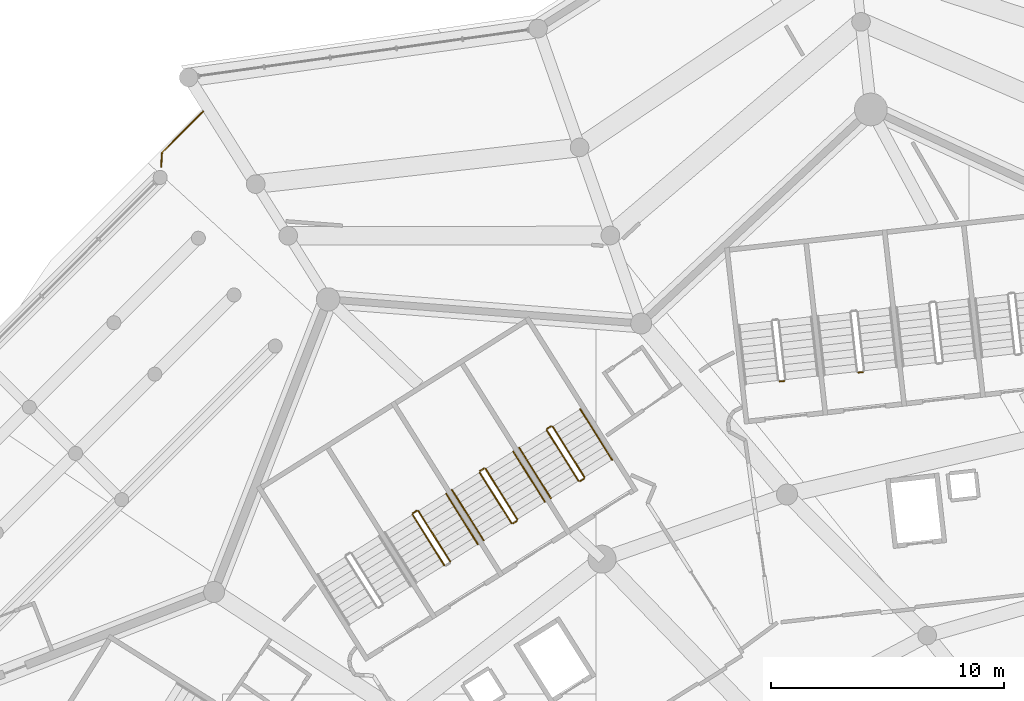
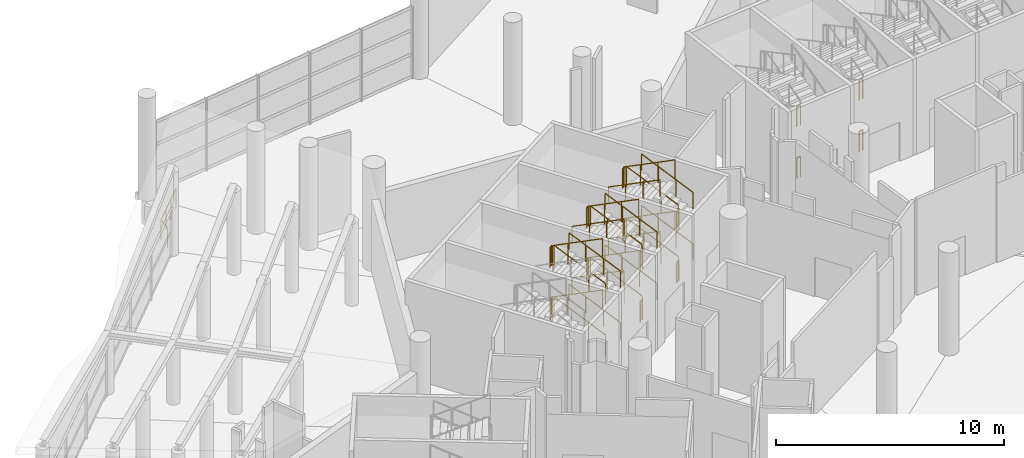
# One storey, part 256 of 271: 37 railings.
"""IFC4 building model written with IfcOpenShell, lengths in metres."""

from ifc_helpers import new_model, si_unit, direction, frame, origin, origin_2d, place, context, subcontext, project, spatial, circle, extrude, material, type_object, element, save


model = new_model("IFC4")

# Units and contexts
model_context = context("Model", 3, precision=1e-05, world=origin(), true_north=direction((0.0, 1.0)))
body_context = subcontext(model_context, "Body", "Model", "MODEL_VIEW")
ifc_project = project(units=[si_unit("LENGTHUNIT", "METRE"), si_unit("AREAUNIT", "SQUARE_METRE"), si_unit("VOLUMEUNIT", "CUBIC_METRE"), si_unit("PLANEANGLEUNIT", "RADIAN"), si_unit("MASSUNIT", "GRAM", prefix="KILO")], contexts=[model_context])

# Site, building, storey
site_placement = place(None, origin())
site = spatial("IfcSite", under=ifc_project, at=site_placement, CompositionType="ELEMENT")
building_placement = place(site_placement, origin())
building = spatial("IfcBuilding", under=site, at=building_placement, Name="Meseta Stadium", CompositionType="ELEMENT")
storey_placement = place(building_placement, frame((0.0, 0.0, 6.5)))
storey = spatial("IfcBuildingStorey", under=building, at=storey_placement, Name="L01", CompositionType="ELEMENT", Elevation=6.5)

# Railings
ifc_material_1 = material(Name="Steel S355", Category="steel")
railing_type_1 = type_object("IfcRailingType", Name="Plate edge guard 1100", PredefinedType="GUARDRAIL", material=ifc_material_1)
railing_1_placement = place(storey_placement, frame((-82.634765625, 102.585693359375, 0.0)))
element("IfcRailing", 1, at=railing_1_placement, inside=storey, type_object=railing_type_1, Name="Gate hall edge guard 6", PredefinedType="GUARDRAIL", context=body_context, shape_type="SweptSolid", body=[
    extrude(circle(Radius=0.02490234375, at=origin_2d()), frame((0.0, 0.0, 1.0751953125), z_axis=(0.059091509668, 0.998252569987, 0.0), x_axis=(-0.998252569987, 0.059091509668, 0.0)), (0.0, 0.0, 1.0), 0.61962890625),
    extrude(circle(Radius=0.02490234375, at=origin_2d()), frame((0.03662109375, 0.61865234375, 1.0751953125), z_axis=(0.707057848155, 0.707155710833, 0.0), x_axis=(-0.707155710833, 0.707057848155, 0.0)), (0.0, 0.0, 1.0), 2.49462890625),
    extrude(circle(Radius=0.02001953125, at=origin_2d()), origin(), (0.0, 0.0, 1.0), 1.050048828125),
    extrude(circle(Radius=0.02001953125, at=origin_2d()), frame((0.03662109375, 0.61865234375, 0.0)), (0.0, 0.0, 1.0), 1.050048828125),
    extrude(circle(Radius=0.02001953125, at=origin_2d()), frame((0.62451171875, 1.206787109375, 0.0)), (0.0, 0.0, 1.0), 1.050048828125),
    extrude(circle(Radius=0.02001953125, at=origin_2d()), frame((1.212646484375, 1.794677734375, 0.0)), (0.0, 0.0, 1.0), 1.050048828125),
    extrude(circle(Radius=0.02001953125, at=origin_2d()), frame((1.800537109375, 2.3828125, 0.0)), (0.0, 0.0, 1.0), 1.050048828125),
])
ifc_material_2 = material(Name="Steel S355", Category="steel")
railing_type_2 = type_object("IfcRailingType", Name="Stair guard 1100", PredefinedType="GUARDRAIL", material=ifc_material_2)
for number, where, name in (
    (2, (-52.54443359375, 93.792724609375, 2.75), "ST47 L01 guard 4"),
    (3, (-52.54443359375, 93.792724609375, 0.0), "ST47 L01 guard 8"),
):
    element("IfcRailing", number, at=place(storey_placement, frame(where)), inside=storey, type_object=railing_type_2, Name=name, PredefinedType="GUARDRAIL", context=body_context, shape_type="SweptSolid", body=[
        extrude(circle(Radius=0.02392578125, at=origin_2d()), frame((0.0, 0.0, 1.076171875), z_axis=(-0.993673547442, -0.112307083986, 0.0), x_axis=(0.112307083986, -0.993673547442, 0.0)), (0.0, 0.0, 1.0), 0.199951171875),
        extrude(circle(Radius=0.02099609375, at=origin_2d()), origin(), (0.0, 0.0, 1.0), 1.052001953125),
        extrude(circle(Radius=0.02099609375, at=origin_2d()), frame((-0.19873046875, -0.0224609375, 0.0)), (0.0, 0.0, 1.0), 1.052001953125),
    ])
for number, where, name in (
    (4, (-55.923095703125, 93.411865234375, 2.75), "ST48 L01 guard 4"),
    (5, (-55.923095703125, 93.411865234375, 0.0), "ST48 L01 guard 8"),
):
    element("IfcRailing", number, at=place(storey_placement, frame(where)), inside=storey, type_object=railing_type_2, Name=name, PredefinedType="GUARDRAIL", context=body_context, shape_type="SweptSolid", body=[
        extrude(circle(Radius=0.02392578125, at=origin_2d()), frame((0.0, 0.0, 1.076171875), z_axis=(-0.993809063983, -0.111101504696, 0.0), x_axis=(0.111101504696, -0.993809063983, 0.0)), (0.0, 0.0, 1.0), 0.199951171875),
        extrude(circle(Radius=0.02099609375, at=origin_2d()), origin(), (0.0, 0.0, 1.0), 1.052001953125),
        extrude(circle(Radius=0.02099609375, at=origin_2d()), frame((-0.19873046875, -0.022216796875, 0.0)), (0.0, 0.0, 1.0), 1.052001953125),
    ])
railing_2_placement = place(storey_placement, frame((-64.4853515625, 89.286865234375, 0.15283203125)))
element("IfcRailing", 6, at=railing_2_placement, inside=storey, type_object=railing_type_2, Name="ST49 L01 guard 1", PredefinedType="GUARDRAIL", context=body_context, shape_type="SweptSolid", body=[
    extrude(circle(Radius=0.02392578125, at=origin_2d()), frame((0.0, 0.0, 1.076171875), z_axis=(-0.480058669713, 0.764152192252, 0.430830710036), x_axis=(-0.846769111272, -0.53196059271, 0.0)), (0.0, 0.0, 1.0), 2.836669921875),
    extrude(circle(Radius=0.02099609375, at=origin_2d()), origin(), (0.0, 0.0, 1.0), 1.052001953125),
    extrude(circle(Radius=0.02099609375, at=origin_2d()), frame((-0.453857421875, 0.72265625, 0.407470703125)), (0.0, 0.0, 1.0), 1.052001953125),
    extrude(circle(Radius=0.02099609375, at=origin_2d()), frame((-0.907958984375, 1.445068359375, 0.814697265625)), (0.0, 0.0, 1.0), 1.052001953125),
    extrude(circle(Radius=0.02099609375, at=origin_2d()), frame((-1.36181640625, 2.167724609375, 1.22216796875)), (0.0, 0.0, 1.0), 1.052001953125),
])
railing_3_placement = place(storey_placement, frame((-65.916259765625, 91.47021484375, 1.375)))
element("IfcRailing", 7, at=railing_3_placement, inside=storey, type_object=railing_type_2, Name="ST49 L01 guard 2", PredefinedType="GUARDRAIL", context=body_context, shape_type="SweptSolid", body=[
    extrude(circle(Radius=0.02392578125, at=origin_2d()), frame((0.0, 0.0, 1.076171875), z_axis=(-0.846966780732, -0.531645814745, 0.0), x_axis=(0.531645814745, -0.846966780732, 0.0)), (0.0, 0.0, 1.0), 0.19970703125),
    extrude(circle(Radius=0.02099609375, at=origin_2d()), origin(), (0.0, 0.0, 1.0), 1.052001953125),
    extrude(circle(Radius=0.02099609375, at=origin_2d()), frame((-0.169189453125, -0.106201171875, 0.0)), (0.0, 0.0, 1.0), 1.052001953125),
])
railing_4_placement = place(storey_placement, frame((-66.101318359375, 91.294921875, 1.52783203125)))
element("IfcRailing", 8, at=railing_4_placement, inside=storey, type_object=railing_type_2, Name="ST49 L01 guard 3", PredefinedType="GUARDRAIL", context=body_context, shape_type="SweptSolid", body=[
    extrude(circle(Radius=0.02392578125, at=origin_2d()), frame((0.0, 0.0, 1.076171875), z_axis=(0.480156468945, -0.764084805753, 0.430841241), x_axis=(0.84669915639, 0.532071929883, 0.0)), (0.0, 0.0, 1.0), 2.836669921875),
    extrude(circle(Radius=0.02099609375, at=origin_2d()), origin(), (0.0, 0.0, 1.0), 1.052001953125),
    extrude(circle(Radius=0.02099609375, at=origin_2d()), frame((0.4541015625, -0.722412109375, 0.407470703125)), (0.0, 0.0, 1.0), 1.052001953125),
    extrude(circle(Radius=0.02099609375, at=origin_2d()), frame((0.907958984375, -1.445068359375, 0.814697265625)), (0.0, 0.0, 1.0), 1.052001953125),
    extrude(circle(Radius=0.02099609375, at=origin_2d()), frame((1.362060546875, -2.16748046875, 1.22216796875)), (0.0, 0.0, 1.0), 1.052001953125),
])
railing_5_placement = place(storey_placement, frame((-64.5009765625, 89.218017578125, 2.75)))
element("IfcRailing", 9, at=railing_5_placement, inside=storey, type_object=railing_type_2, Name="ST49 L01 guard 4", PredefinedType="GUARDRAIL", context=body_context, shape_type="SweptSolid", body=[
    extrude(circle(Radius=0.02392578125, at=origin_2d()), frame((0.0, 0.0, 1.076171875), z_axis=(-0.846762178531, -0.531971628011, 0.0), x_axis=(0.531971628011, -0.846762178531, 0.0)), (0.0, 0.0, 1.0), 0.2001953125),
    extrude(circle(Radius=0.02099609375, at=origin_2d()), origin(), (0.0, 0.0, 1.0), 1.052001953125),
    extrude(circle(Radius=0.02099609375, at=origin_2d()), frame((-0.16943359375, -0.1064453125, 0.0)), (0.0, 0.0, 1.0), 1.052001953125),
])
railing_6_placement = place(storey_placement, frame((-64.4853515625, 89.286865234375, 2.90283203125)))
element("IfcRailing", 10, at=railing_6_placement, inside=storey, type_object=railing_type_2, Name="ST49 L01 guard 5", PredefinedType="GUARDRAIL", context=body_context, shape_type="SweptSolid", body=[
    extrude(circle(Radius=0.02392578125, at=origin_2d()), frame((0.0, 0.0, 1.076171875), z_axis=(-0.480058669713, 0.764152192252, 0.430830710036), x_axis=(-0.846769111272, -0.53196059271, 0.0)), (0.0, 0.0, 1.0), 2.836669921875),
    extrude(circle(Radius=0.02099609375, at=origin_2d()), origin(), (0.0, 0.0, 1.0), 1.052001953125),
    extrude(circle(Radius=0.02099609375, at=origin_2d()), frame((-0.453857421875, 0.72265625, 0.407470703125)), (0.0, 0.0, 1.0), 1.052001953125),
    extrude(circle(Radius=0.02099609375, at=origin_2d()), frame((-0.907958984375, 1.445068359375, 0.814697265625)), (0.0, 0.0, 1.0), 1.052001953125),
    extrude(circle(Radius=0.02099609375, at=origin_2d()), frame((-1.36181640625, 2.167724609375, 1.22216796875)), (0.0, 0.0, 1.0), 1.052001953125),
])
railing_7_placement = place(storey_placement, frame((-65.916259765625, 91.47021484375, 4.125)))
element("IfcRailing", 11, at=railing_7_placement, inside=storey, type_object=railing_type_2, Name="ST49 L01 guard 6", PredefinedType="GUARDRAIL", context=body_context, shape_type="SweptSolid", body=[
    extrude(circle(Radius=0.02392578125, at=origin_2d()), frame((0.0, 0.0, 1.076171875), z_axis=(-0.846966780732, -0.531645814745, 0.0), x_axis=(0.531645814745, -0.846966780732, 0.0)), (0.0, 0.0, 1.0), 0.19970703125),
    extrude(circle(Radius=0.02099609375, at=origin_2d()), origin(), (0.0, 0.0, 1.0), 1.052001953125),
    extrude(circle(Radius=0.02099609375, at=origin_2d()), frame((-0.169189453125, -0.106201171875, 0.0)), (0.0, 0.0, 1.0), 1.052001953125),
])
railing_8_placement = place(storey_placement, frame((-66.101318359375, 91.294921875, 4.27783203125)))
element("IfcRailing", 12, at=railing_8_placement, inside=storey, type_object=railing_type_2, Name="ST49 L01 guard 7", PredefinedType="GUARDRAIL", context=body_context, shape_type="SweptSolid", body=[
    extrude(circle(Radius=0.02392578125, at=origin_2d()), frame((0.0, 0.0, 1.076171875), z_axis=(0.480156468945, -0.764084805753, 0.430841241), x_axis=(0.84669915639, 0.532071929883, 0.0)), (0.0, 0.0, 1.0), 2.836669921875),
    extrude(circle(Radius=0.02099609375, at=origin_2d()), origin(), (0.0, 0.0, 1.0), 1.052001953125),
    extrude(circle(Radius=0.02099609375, at=origin_2d()), frame((0.4541015625, -0.722412109375, 0.407470703125)), (0.0, 0.0, 1.0), 1.052001953125),
    extrude(circle(Radius=0.02099609375, at=origin_2d()), frame((0.907958984375, -1.445068359375, 0.814697265625)), (0.0, 0.0, 1.0), 1.052001953125),
    extrude(circle(Radius=0.02099609375, at=origin_2d()), frame((1.362060546875, -2.16748046875, 1.22216796875)), (0.0, 0.0, 1.0), 1.052001953125),
])
railing_9_placement = place(storey_placement, frame((-64.5009765625, 89.218017578125, 0.0)))
element("IfcRailing", 13, at=railing_9_placement, inside=storey, type_object=railing_type_2, Name="ST49 L01 guard 8", PredefinedType="GUARDRAIL", context=body_context, shape_type="SweptSolid", body=[
    extrude(circle(Radius=0.02392578125, at=origin_2d()), frame((0.0, 0.0, 1.076171875), z_axis=(-0.846762178531, -0.531971628011, 0.0), x_axis=(0.531971628011, -0.846762178531, 0.0)), (0.0, 0.0, 1.0), 0.2001953125),
    extrude(circle(Radius=0.02099609375, at=origin_2d()), origin(), (0.0, 0.0, 1.0), 1.052001953125),
    extrude(circle(Radius=0.02099609375, at=origin_2d()), frame((-0.16943359375, -0.1064453125, 0.0)), (0.0, 0.0, 1.0), 1.052001953125),
])
railing_10_placement = place(storey_placement, frame((-67.3642578125, 87.47802734375, 0.15283203125)))
element("IfcRailing", 14, at=railing_10_placement, inside=storey, type_object=railing_type_2, Name="ST50 L01 guard 1", PredefinedType="GUARDRAIL", context=body_context, shape_type="SweptSolid", body=[
    extrude(circle(Radius=0.02392578125, at=origin_2d()), frame((0.0, 0.0, 1.076171875), z_axis=(-0.480058669713, 0.764152192252, 0.430830710036), x_axis=(-0.846769111272, -0.53196059271, 0.0)), (0.0, 0.0, 1.0), 2.836669921875),
    extrude(circle(Radius=0.02099609375, at=origin_2d()), origin(), (0.0, 0.0, 1.0), 1.052001953125),
    extrude(circle(Radius=0.02099609375, at=origin_2d()), frame((-0.453857421875, 0.72265625, 0.407470703125)), (0.0, 0.0, 1.0), 1.052001953125),
    extrude(circle(Radius=0.02099609375, at=origin_2d()), frame((-0.907958984375, 1.445068359375, 0.814697265625)), (0.0, 0.0, 1.0), 1.052001953125),
    extrude(circle(Radius=0.02099609375, at=origin_2d()), frame((-1.36181640625, 2.167724609375, 1.22216796875)), (0.0, 0.0, 1.0), 1.052001953125),
])
railing_11_placement = place(storey_placement, frame((-68.795166015625, 89.661376953125, 1.375)))
element("IfcRailing", 15, at=railing_11_placement, inside=storey, type_object=railing_type_2, Name="ST50 L01 guard 2", PredefinedType="GUARDRAIL", context=body_context, shape_type="SweptSolid", body=[
    extrude(circle(Radius=0.02392578125, at=origin_2d()), frame((0.0, 0.0, 1.076171875), z_axis=(-0.846416356806, -0.532521690573, 0.0), x_axis=(0.532521690573, -0.846416356806, 0.0)), (0.0, 0.0, 1.0), 0.199951171875),
    extrude(circle(Radius=0.02099609375, at=origin_2d()), origin(), (0.0, 0.0, 1.0), 1.052001953125),
    extrude(circle(Radius=0.02099609375, at=origin_2d()), frame((-0.169189453125, -0.1064453125, 0.0)), (0.0, 0.0, 1.0), 1.052001953125),
])
railing_12_placement = place(storey_placement, frame((-68.980224609375, 89.486083984375, 1.52783203125)))
element("IfcRailing", 16, at=railing_12_placement, inside=storey, type_object=railing_type_2, Name="ST50 L01 guard 3", PredefinedType="GUARDRAIL", context=body_context, shape_type="SweptSolid", body=[
    extrude(circle(Radius=0.02392578125, at=origin_2d()), frame((0.0, 0.0, 1.076171875), z_axis=(0.480124894743, -0.764120620259, 0.430812909676), x_axis=(0.846726152555, 0.532028967801, 0.0)), (0.0, 0.0, 1.0), 2.8369140625),
    extrude(circle(Radius=0.02099609375, at=origin_2d()), origin(), (0.0, 0.0, 1.0), 1.052001953125),
    extrude(circle(Radius=0.02099609375, at=origin_2d()), frame((0.4541015625, -0.72265625, 0.407470703125)), (0.0, 0.0, 1.0), 1.052001953125),
    extrude(circle(Radius=0.02099609375, at=origin_2d()), frame((0.907958984375, -1.445068359375, 0.814697265625)), (0.0, 0.0, 1.0), 1.052001953125),
    extrude(circle(Radius=0.02099609375, at=origin_2d()), frame((1.362060546875, -2.167724609375, 1.22216796875)), (0.0, 0.0, 1.0), 1.052001953125),
])
railing_13_placement = place(storey_placement, frame((-67.3798828125, 87.4091796875, 2.75)))
element("IfcRailing", 17, at=railing_13_placement, inside=storey, type_object=railing_type_2, Name="ST50 L01 guard 4", PredefinedType="GUARDRAIL", context=body_context, shape_type="SweptSolid", body=[
    extrude(circle(Radius=0.02392578125, at=origin_2d()), frame((0.0, 0.0, 1.076171875), z_axis=(-0.846762178531, -0.531971628011, 0.0), x_axis=(0.531971628011, -0.846762178531, 0.0)), (0.0, 0.0, 1.0), 0.2001953125),
    extrude(circle(Radius=0.02099609375, at=origin_2d()), origin(), (0.0, 0.0, 1.0), 1.052001953125),
    extrude(circle(Radius=0.02099609375, at=origin_2d()), frame((-0.16943359375, -0.1064453125, 0.0)), (0.0, 0.0, 1.0), 1.052001953125),
])
railing_14_placement = place(storey_placement, frame((-67.3642578125, 87.47802734375, 2.90283203125)))
element("IfcRailing", 18, at=railing_14_placement, inside=storey, type_object=railing_type_2, Name="ST50 L01 guard 5", PredefinedType="GUARDRAIL", context=body_context, shape_type="SweptSolid", body=[
    extrude(circle(Radius=0.02392578125, at=origin_2d()), frame((0.0, 0.0, 1.076171875), z_axis=(-0.480058669713, 0.764152192252, 0.430830710036), x_axis=(-0.846769111272, -0.53196059271, 0.0)), (0.0, 0.0, 1.0), 2.836669921875),
    extrude(circle(Radius=0.02099609375, at=origin_2d()), origin(), (0.0, 0.0, 1.0), 1.052001953125),
    extrude(circle(Radius=0.02099609375, at=origin_2d()), frame((-0.453857421875, 0.72265625, 0.407470703125)), (0.0, 0.0, 1.0), 1.052001953125),
    extrude(circle(Radius=0.02099609375, at=origin_2d()), frame((-0.907958984375, 1.445068359375, 0.814697265625)), (0.0, 0.0, 1.0), 1.052001953125),
    extrude(circle(Radius=0.02099609375, at=origin_2d()), frame((-1.36181640625, 2.167724609375, 1.22216796875)), (0.0, 0.0, 1.0), 1.052001953125),
])
railing_15_placement = place(storey_placement, frame((-68.795166015625, 89.661376953125, 4.125)))
element("IfcRailing", 19, at=railing_15_placement, inside=storey, type_object=railing_type_2, Name="ST50 L01 guard 6", PredefinedType="GUARDRAIL", context=body_context, shape_type="SweptSolid", body=[
    extrude(circle(Radius=0.02392578125, at=origin_2d()), frame((0.0, 0.0, 1.076171875), z_axis=(-0.846416356806, -0.532521690573, 0.0), x_axis=(0.532521690573, -0.846416356806, 0.0)), (0.0, 0.0, 1.0), 0.199951171875),
    extrude(circle(Radius=0.02099609375, at=origin_2d()), origin(), (0.0, 0.0, 1.0), 1.052001953125),
    extrude(circle(Radius=0.02099609375, at=origin_2d()), frame((-0.169189453125, -0.1064453125, 0.0)), (0.0, 0.0, 1.0), 1.052001953125),
])
railing_16_placement = place(storey_placement, frame((-68.980224609375, 89.486083984375, 4.27783203125)))
element("IfcRailing", 20, at=railing_16_placement, inside=storey, type_object=railing_type_2, Name="ST50 L01 guard 7", PredefinedType="GUARDRAIL", context=body_context, shape_type="SweptSolid", body=[
    extrude(circle(Radius=0.02392578125, at=origin_2d()), frame((0.0, 0.0, 1.076171875), z_axis=(0.480124894743, -0.764120620259, 0.430812909676), x_axis=(0.846726152555, 0.532028967801, 0.0)), (0.0, 0.0, 1.0), 2.8369140625),
    extrude(circle(Radius=0.02099609375, at=origin_2d()), origin(), (0.0, 0.0, 1.0), 1.052001953125),
    extrude(circle(Radius=0.02099609375, at=origin_2d()), frame((0.4541015625, -0.72265625, 0.407470703125)), (0.0, 0.0, 1.0), 1.052001953125),
    extrude(circle(Radius=0.02099609375, at=origin_2d()), frame((0.907958984375, -1.445068359375, 0.814697265625)), (0.0, 0.0, 1.0), 1.052001953125),
    extrude(circle(Radius=0.02099609375, at=origin_2d()), frame((1.362060546875, -2.167724609375, 1.22216796875)), (0.0, 0.0, 1.0), 1.052001953125),
])
railing_17_placement = place(storey_placement, frame((-67.3798828125, 87.4091796875, 0.0)))
element("IfcRailing", 21, at=railing_17_placement, inside=storey, type_object=railing_type_2, Name="ST50 L01 guard 8", PredefinedType="GUARDRAIL", context=body_context, shape_type="SweptSolid", body=[
    extrude(circle(Radius=0.02392578125, at=origin_2d()), frame((0.0, 0.0, 1.076171875), z_axis=(-0.846762178531, -0.531971628011, 0.0), x_axis=(0.531971628011, -0.846762178531, 0.0)), (0.0, 0.0, 1.0), 0.2001953125),
    extrude(circle(Radius=0.02099609375, at=origin_2d()), origin(), (0.0, 0.0, 1.0), 1.052001953125),
    extrude(circle(Radius=0.02099609375, at=origin_2d()), frame((-0.16943359375, -0.1064453125, 0.0)), (0.0, 0.0, 1.0), 1.052001953125),
])
railing_18_placement = place(storey_placement, frame((-70.242919921875, 85.669189453125, 0.15283203125)))
element("IfcRailing", 22, at=railing_18_placement, inside=storey, type_object=railing_type_2, Name="ST51 L01 guard 1", PredefinedType="GUARDRAIL", context=body_context, shape_type="SweptSolid", body=[
    extrude(circle(Radius=0.02392578125, at=origin_2d()), frame((0.0, 0.0, 1.076171875), z_axis=(-0.480156468945, 0.764084805753, 0.430841241), x_axis=(-0.84669915639, -0.532071929883, 0.0)), (0.0, 0.0, 1.0), 2.836669921875),
    extrude(circle(Radius=0.02099609375, at=origin_2d()), origin(), (0.0, 0.0, 1.0), 1.052001953125),
    extrude(circle(Radius=0.02099609375, at=origin_2d()), frame((-0.4541015625, 0.722412109375, 0.407470703125)), (0.0, 0.0, 1.0), 1.052001953125),
    extrude(circle(Radius=0.02099609375, at=origin_2d()), frame((-0.907958984375, 1.445068359375, 0.814697265625)), (0.0, 0.0, 1.0), 1.052001953125),
    extrude(circle(Radius=0.02099609375, at=origin_2d()), frame((-1.362060546875, 2.16748046875, 1.22216796875)), (0.0, 0.0, 1.0), 1.052001953125),
])
railing_19_placement = place(storey_placement, frame((-71.673828125, 87.8525390625, 1.375)))
element("IfcRailing", 23, at=railing_19_placement, inside=storey, type_object=railing_type_2, Name="ST51 L01 guard 2", PredefinedType="GUARDRAIL", context=body_context, shape_type="SweptSolid", body=[
    extrude(circle(Radius=0.02392578125, at=origin_2d()), frame((0.0, 0.0, 1.076171875), z_axis=(-0.846762178531, -0.531971628011, 0.0), x_axis=(0.531971628011, -0.846762178531, 0.0)), (0.0, 0.0, 1.0), 0.2001953125),
    extrude(circle(Radius=0.02099609375, at=origin_2d()), origin(), (0.0, 0.0, 1.0), 1.052001953125),
    extrude(circle(Radius=0.02099609375, at=origin_2d()), frame((-0.16943359375, -0.1064453125, 0.0)), (0.0, 0.0, 1.0), 1.052001953125),
])
railing_20_placement = place(storey_placement, frame((-71.859130859375, 87.67724609375, 1.52783203125)))
element("IfcRailing", 24, at=railing_20_placement, inside=storey, type_object=railing_type_2, Name="ST51 L01 guard 3", PredefinedType="GUARDRAIL", context=body_context, shape_type="SweptSolid", body=[
    extrude(circle(Radius=0.02392578125, at=origin_2d()), frame((0.0, 0.0, 1.076171875), z_axis=(0.480124894743, -0.764120620259, 0.430812909676), x_axis=(0.846726152555, 0.532028967801, 0.0)), (0.0, 0.0, 1.0), 2.8369140625),
    extrude(circle(Radius=0.02099609375, at=origin_2d()), origin(), (0.0, 0.0, 1.0), 1.052001953125),
    extrude(circle(Radius=0.02099609375, at=origin_2d()), frame((0.4541015625, -0.72265625, 0.407470703125)), (0.0, 0.0, 1.0), 1.052001953125),
    extrude(circle(Radius=0.02099609375, at=origin_2d()), frame((0.907958984375, -1.445068359375, 0.814697265625)), (0.0, 0.0, 1.0), 1.052001953125),
    extrude(circle(Radius=0.02099609375, at=origin_2d()), frame((1.362060546875, -2.167724609375, 1.22216796875)), (0.0, 0.0, 1.0), 1.052001953125),
])
railing_21_placement = place(storey_placement, frame((-70.242919921875, 85.669189453125, 2.90283203125)))
element("IfcRailing", 25, at=railing_21_placement, inside=storey, type_object=railing_type_2, Name="ST51 L01 guard 5", PredefinedType="GUARDRAIL", context=body_context, shape_type="SweptSolid", body=[
    extrude(circle(Radius=0.02392578125, at=origin_2d()), frame((0.0, 0.0, 1.076171875), z_axis=(-0.480156468945, 0.764084805753, 0.430841241), x_axis=(-0.84669915639, -0.532071929883, 0.0)), (0.0, 0.0, 1.0), 2.836669921875),
    extrude(circle(Radius=0.02099609375, at=origin_2d()), origin(), (0.0, 0.0, 1.0), 1.052001953125),
    extrude(circle(Radius=0.02099609375, at=origin_2d()), frame((-0.4541015625, 0.722412109375, 0.407470703125)), (0.0, 0.0, 1.0), 1.052001953125),
    extrude(circle(Radius=0.02099609375, at=origin_2d()), frame((-0.907958984375, 1.445068359375, 0.814697265625)), (0.0, 0.0, 1.0), 1.052001953125),
    extrude(circle(Radius=0.02099609375, at=origin_2d()), frame((-1.362060546875, 2.16748046875, 1.22216796875)), (0.0, 0.0, 1.0), 1.052001953125),
])
railing_22_placement = place(storey_placement, frame((-71.673828125, 87.8525390625, 4.125)))
element("IfcRailing", 26, at=railing_22_placement, inside=storey, type_object=railing_type_2, Name="ST51 L01 guard 6", PredefinedType="GUARDRAIL", context=body_context, shape_type="SweptSolid", body=[
    extrude(circle(Radius=0.02392578125, at=origin_2d()), frame((0.0, 0.0, 1.076171875), z_axis=(-0.846762178531, -0.531971628011, 0.0), x_axis=(0.531971628011, -0.846762178531, 0.0)), (0.0, 0.0, 1.0), 0.2001953125),
    extrude(circle(Radius=0.02099609375, at=origin_2d()), origin(), (0.0, 0.0, 1.0), 1.052001953125),
    extrude(circle(Radius=0.02099609375, at=origin_2d()), frame((-0.16943359375, -0.1064453125, 0.0)), (0.0, 0.0, 1.0), 1.052001953125),
])
railing_23_placement = place(storey_placement, frame((-71.859130859375, 87.67724609375, 4.27783203125)))
element("IfcRailing", 27, at=railing_23_placement, inside=storey, type_object=railing_type_2, Name="ST51 L01 guard 7", PredefinedType="GUARDRAIL", context=body_context, shape_type="SweptSolid", body=[
    extrude(circle(Radius=0.02392578125, at=origin_2d()), frame((0.0, 0.0, 1.076171875), z_axis=(0.480124894743, -0.764120620259, 0.430812909676), x_axis=(0.846726152555, 0.532028967801, 0.0)), (0.0, 0.0, 1.0), 2.8369140625),
    extrude(circle(Radius=0.02099609375, at=origin_2d()), origin(), (0.0, 0.0, 1.0), 1.052001953125),
    extrude(circle(Radius=0.02099609375, at=origin_2d()), frame((0.4541015625, -0.72265625, 0.407470703125)), (0.0, 0.0, 1.0), 1.052001953125),
    extrude(circle(Radius=0.02099609375, at=origin_2d()), frame((0.907958984375, -1.445068359375, 0.814697265625)), (0.0, 0.0, 1.0), 1.052001953125),
    extrude(circle(Radius=0.02099609375, at=origin_2d()), frame((1.362060546875, -2.167724609375, 1.22216796875)), (0.0, 0.0, 1.0), 1.052001953125),
])
ifc_material_3 = material(Name="Steel S355", Category="steel")
railing_type_3 = type_object("IfcRailingType", Name="Stair handrail 900", PredefinedType="HANDRAIL", material=ifc_material_3)
railing_24_placement = place(storey_placement, frame((-63.2998046875, 90.03173828125, 0.15283203125)))
element("IfcRailing", 28, at=railing_24_placement, inside=storey, type_object=railing_type_3, Name="ST49 L01 handrail 1", PredefinedType="HANDRAIL", context=body_context, shape_type="SweptSolid", body=[
    extrude(circle(Radius=0.02392578125, at=origin_2d()), frame((0.0, 0.0, 0.8759765625), z_axis=(-0.480124894743, 0.764120620259, 0.430812909676), x_axis=(-0.846726152555, -0.532028967801, 0.0)), (0.0, 0.0, 1.0), 2.8369140625),
    extrude(circle(Radius=0.02099609375, at=origin_2d()), origin(), (0.0, 0.0, 1.0), 0.851806640625),
    extrude(circle(Radius=0.02099609375, at=origin_2d()), frame((-0.4541015625, 0.72265625, 0.407470703125)), (0.0, 0.0, 1.0), 0.851806640625),
    extrude(circle(Radius=0.02099609375, at=origin_2d()), frame((-0.907958984375, 1.445068359375, 0.814697265625)), (0.0, 0.0, 1.0), 0.851806640625),
    extrude(circle(Radius=0.02099609375, at=origin_2d()), frame((-1.362060546875, 2.167724609375, 1.22216796875)), (0.0, 0.0, 1.0), 0.851806640625),
])
railing_25_placement = place(storey_placement, frame((-67.28662109375, 90.550048828125, 1.52783203125)))
element("IfcRailing", 29, at=railing_25_placement, inside=storey, type_object=railing_type_3, Name="ST49 L01 handrail 2", PredefinedType="HANDRAIL", context=body_context, shape_type="SweptSolid", body=[
    extrude(circle(Radius=0.02392578125, at=origin_2d()), frame((0.0, 0.0, 0.8759765625), z_axis=(0.480090242169, -0.764116380419, 0.430859044873), x_axis=(0.846742120675, 0.53200355363, 0.0)), (0.0, 0.0, 1.0), 2.836669921875),
    extrude(circle(Radius=0.02099609375, at=origin_2d()), origin(), (0.0, 0.0, 1.0), 0.851806640625),
    extrude(circle(Radius=0.02099609375, at=origin_2d()), frame((0.453857421875, -0.722412109375, 0.407470703125)), (0.0, 0.0, 1.0), 0.851806640625),
    extrude(circle(Radius=0.02099609375, at=origin_2d()), frame((0.907958984375, -1.445068359375, 0.814697265625)), (0.0, 0.0, 1.0), 0.851806640625),
    extrude(circle(Radius=0.02099609375, at=origin_2d()), frame((1.36181640625, -2.16748046875, 1.22216796875)), (0.0, 0.0, 1.0), 0.851806640625),
])
railing_26_placement = place(storey_placement, frame((-63.2998046875, 90.03173828125, 2.90283203125)))
element("IfcRailing", 30, at=railing_26_placement, inside=storey, type_object=railing_type_3, Name="ST49 L01 handrail 3", PredefinedType="HANDRAIL", context=body_context, shape_type="SweptSolid", body=[
    extrude(circle(Radius=0.02392578125, at=origin_2d()), frame((0.0, 0.0, 0.8759765625), z_axis=(-0.480124894743, 0.764120620259, 0.430812909676), x_axis=(-0.846726152555, -0.532028967801, 0.0)), (0.0, 0.0, 1.0), 2.8369140625),
    extrude(circle(Radius=0.02099609375, at=origin_2d()), origin(), (0.0, 0.0, 1.0), 0.851806640625),
    extrude(circle(Radius=0.02099609375, at=origin_2d()), frame((-0.4541015625, 0.72265625, 0.407470703125)), (0.0, 0.0, 1.0), 0.851806640625),
    extrude(circle(Radius=0.02099609375, at=origin_2d()), frame((-0.907958984375, 1.445068359375, 0.814697265625)), (0.0, 0.0, 1.0), 0.851806640625),
    extrude(circle(Radius=0.02099609375, at=origin_2d()), frame((-1.362060546875, 2.167724609375, 1.22216796875)), (0.0, 0.0, 1.0), 0.851806640625),
])
railing_27_placement = place(storey_placement, frame((-67.28662109375, 90.550048828125, 4.27783203125)))
element("IfcRailing", 31, at=railing_27_placement, inside=storey, type_object=railing_type_3, Name="ST49 L01 handrail 4", PredefinedType="HANDRAIL", context=body_context, shape_type="SweptSolid", body=[
    extrude(circle(Radius=0.02392578125, at=origin_2d()), frame((0.0, 0.0, 0.8759765625), z_axis=(0.480090242169, -0.764116380419, 0.430859044873), x_axis=(0.846742120675, 0.53200355363, 0.0)), (0.0, 0.0, 1.0), 2.836669921875),
    extrude(circle(Radius=0.02099609375, at=origin_2d()), origin(), (0.0, 0.0, 1.0), 0.851806640625),
    extrude(circle(Radius=0.02099609375, at=origin_2d()), frame((0.453857421875, -0.722412109375, 0.407470703125)), (0.0, 0.0, 1.0), 0.851806640625),
    extrude(circle(Radius=0.02099609375, at=origin_2d()), frame((0.907958984375, -1.445068359375, 0.814697265625)), (0.0, 0.0, 1.0), 0.851806640625),
    extrude(circle(Radius=0.02099609375, at=origin_2d()), frame((1.36181640625, -2.16748046875, 1.22216796875)), (0.0, 0.0, 1.0), 0.851806640625),
])
railing_28_placement = place(storey_placement, frame((-66.1787109375, 88.222900390625, 0.15283203125)))
element("IfcRailing", 32, at=railing_28_placement, inside=storey, type_object=railing_type_3, Name="ST50 L01 handrail 1", PredefinedType="HANDRAIL", context=body_context, shape_type="SweptSolid", body=[
    extrude(circle(Radius=0.02392578125, at=origin_2d()), frame((0.0, 0.0, 0.8759765625), z_axis=(-0.480124894743, 0.764120620259, 0.430812909676), x_axis=(-0.846726152555, -0.532028967801, 0.0)), (0.0, 0.0, 1.0), 2.8369140625),
    extrude(circle(Radius=0.02099609375, at=origin_2d()), origin(), (0.0, 0.0, 1.0), 0.851806640625),
    extrude(circle(Radius=0.02099609375, at=origin_2d()), frame((-0.4541015625, 0.72265625, 0.407470703125)), (0.0, 0.0, 1.0), 0.851806640625),
    extrude(circle(Radius=0.02099609375, at=origin_2d()), frame((-0.907958984375, 1.445068359375, 0.814697265625)), (0.0, 0.0, 1.0), 0.851806640625),
    extrude(circle(Radius=0.02099609375, at=origin_2d()), frame((-1.362060546875, 2.167724609375, 1.22216796875)), (0.0, 0.0, 1.0), 0.851806640625),
])
railing_29_placement = place(storey_placement, frame((-70.16552734375, 88.7412109375, 1.52783203125)))
element("IfcRailing", 33, at=railing_29_placement, inside=storey, type_object=railing_type_3, Name="ST50 L01 handrail 2", PredefinedType="HANDRAIL", context=body_context, shape_type="SweptSolid", body=[
    extrude(circle(Radius=0.02392578125, at=origin_2d()), frame((0.0, 0.0, 0.8759765625), z_axis=(0.480156468945, -0.764084805753, 0.430841241), x_axis=(0.84669915639, 0.532071929883, 0.0)), (0.0, 0.0, 1.0), 2.836669921875),
    extrude(circle(Radius=0.02099609375, at=origin_2d()), origin(), (0.0, 0.0, 1.0), 0.851806640625),
    extrude(circle(Radius=0.02099609375, at=origin_2d()), frame((0.4541015625, -0.722412109375, 0.407470703125)), (0.0, 0.0, 1.0), 0.851806640625),
    extrude(circle(Radius=0.02099609375, at=origin_2d()), frame((0.907958984375, -1.445068359375, 0.814697265625)), (0.0, 0.0, 1.0), 0.851806640625),
    extrude(circle(Radius=0.02099609375, at=origin_2d()), frame((1.362060546875, -2.16748046875, 1.22216796875)), (0.0, 0.0, 1.0), 0.851806640625),
])
railing_30_placement = place(storey_placement, frame((-66.1787109375, 88.222900390625, 2.90283203125)))
element("IfcRailing", 34, at=railing_30_placement, inside=storey, type_object=railing_type_3, Name="ST50 L01 handrail 3", PredefinedType="HANDRAIL", context=body_context, shape_type="SweptSolid", body=[
    extrude(circle(Radius=0.02392578125, at=origin_2d()), frame((0.0, 0.0, 0.8759765625), z_axis=(-0.480124894743, 0.764120620259, 0.430812909676), x_axis=(-0.846726152555, -0.532028967801, 0.0)), (0.0, 0.0, 1.0), 2.8369140625),
    extrude(circle(Radius=0.02099609375, at=origin_2d()), origin(), (0.0, 0.0, 1.0), 0.851806640625),
    extrude(circle(Radius=0.02099609375, at=origin_2d()), frame((-0.4541015625, 0.72265625, 0.407470703125)), (0.0, 0.0, 1.0), 0.851806640625),
    extrude(circle(Radius=0.02099609375, at=origin_2d()), frame((-0.907958984375, 1.445068359375, 0.814697265625)), (0.0, 0.0, 1.0), 0.851806640625),
    extrude(circle(Radius=0.02099609375, at=origin_2d()), frame((-1.362060546875, 2.167724609375, 1.22216796875)), (0.0, 0.0, 1.0), 0.851806640625),
])
railing_31_placement = place(storey_placement, frame((-70.16552734375, 88.7412109375, 4.27783203125)))
element("IfcRailing", 35, at=railing_31_placement, inside=storey, type_object=railing_type_3, Name="ST50 L01 handrail 4", PredefinedType="HANDRAIL", context=body_context, shape_type="SweptSolid", body=[
    extrude(circle(Radius=0.02392578125, at=origin_2d()), frame((0.0, 0.0, 0.8759765625), z_axis=(0.480156468945, -0.764084805753, 0.430841241), x_axis=(0.84669915639, 0.532071929883, 0.0)), (0.0, 0.0, 1.0), 2.836669921875),
    extrude(circle(Radius=0.02099609375, at=origin_2d()), origin(), (0.0, 0.0, 1.0), 0.851806640625),
    extrude(circle(Radius=0.02099609375, at=origin_2d()), frame((0.4541015625, -0.722412109375, 0.407470703125)), (0.0, 0.0, 1.0), 0.851806640625),
    extrude(circle(Radius=0.02099609375, at=origin_2d()), frame((0.907958984375, -1.445068359375, 0.814697265625)), (0.0, 0.0, 1.0), 0.851806640625),
    extrude(circle(Radius=0.02099609375, at=origin_2d()), frame((1.362060546875, -2.16748046875, 1.22216796875)), (0.0, 0.0, 1.0), 0.851806640625),
])
for number, where, name in (
    (36, (-69.0576171875, 86.4140625, 0.15283203125), "ST51 L01 handrail 1"),
    (37, (-69.0576171875, 86.4140625, 2.90283203125), "ST51 L01 handrail 3"),
):
    element("IfcRailing", number, at=place(storey_placement, frame(where)), inside=storey, type_object=railing_type_3, Name=name, PredefinedType="HANDRAIL", context=body_context, shape_type="SweptSolid", body=[
        extrude(circle(Radius=0.02392578125, at=origin_2d()), frame((0.0, 0.0, 0.8759765625), z_axis=(-0.480156468945, 0.764084805753, 0.430841241), x_axis=(-0.84669915639, -0.532071929883, 0.0)), (0.0, 0.0, 1.0), 2.836669921875),
        extrude(circle(Radius=0.02099609375, at=origin_2d()), origin(), (0.0, 0.0, 1.0), 0.851806640625),
        extrude(circle(Radius=0.02099609375, at=origin_2d()), frame((-0.4541015625, 0.722412109375, 0.407470703125)), (0.0, 0.0, 1.0), 0.851806640625),
        extrude(circle(Radius=0.02099609375, at=origin_2d()), frame((-0.907958984375, 1.445068359375, 0.814697265625)), (0.0, 0.0, 1.0), 0.851806640625),
        extrude(circle(Radius=0.02099609375, at=origin_2d()), frame((-1.362060546875, 2.16748046875, 1.22216796875)), (0.0, 0.0, 1.0), 0.851806640625),
    ])

save(model, "model.ifc")
